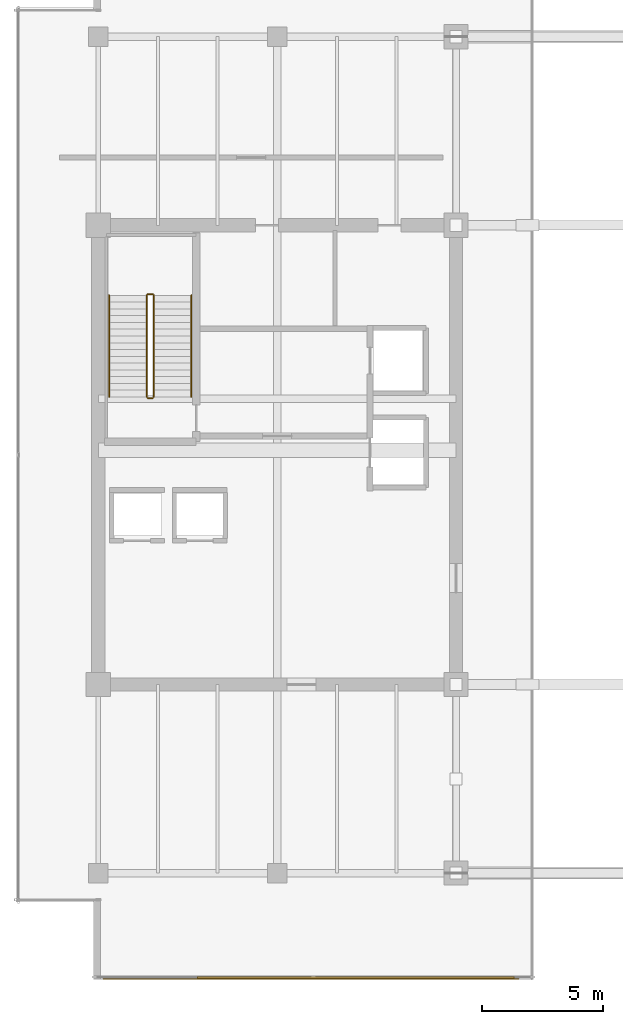
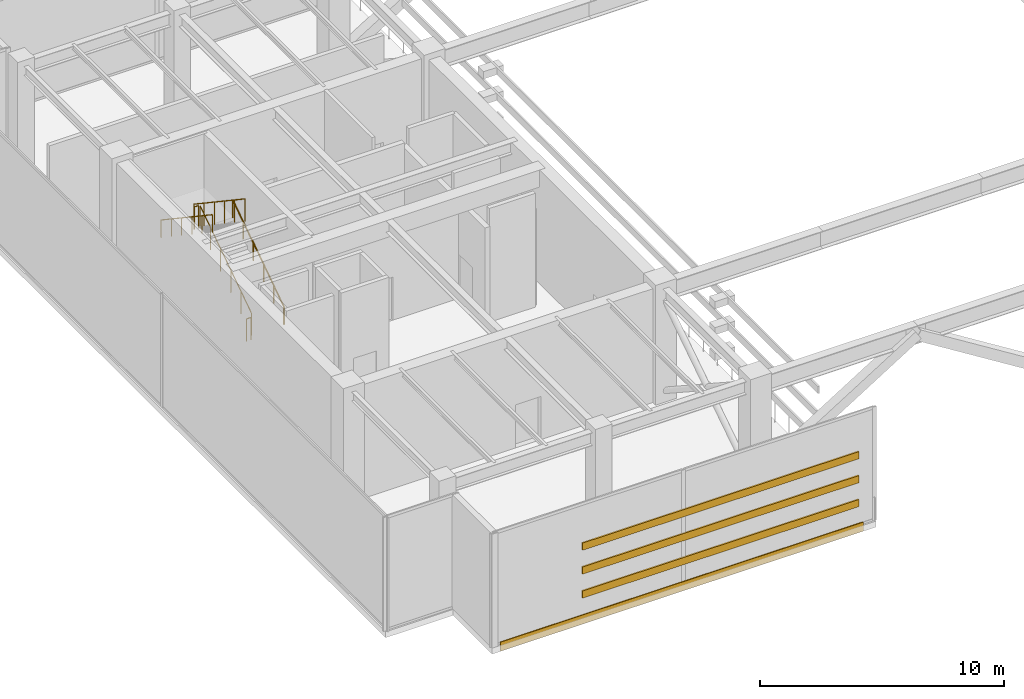
# One storey, part 27 of 30: 6 railings, 3 shading devices, 1 covering.
"""IFC4 building model written with IfcOpenShell, lengths in metres."""

from ifc_helpers import new_model, si_unit, direction, frame, frame_2d, origin, origin_2d, place, context, subcontext, project, spatial, rectangle, circle, extrude, source, transform, mapped, material, layer, layer_set, material_profile, profile_set, type_object, type_shapes, element, save


model = new_model("IFC4")

# Units and contexts
model_context = context("Model", 3, precision=1e-05, world=origin(), true_north=direction((0.0, 1.0)))
body_context = subcontext(model_context, "Body", "Model", "MODEL_VIEW")
ifc_project = project(units=[si_unit("LENGTHUNIT", "METRE"), si_unit("AREAUNIT", "SQUARE_METRE"), si_unit("VOLUMEUNIT", "CUBIC_METRE"), si_unit("PLANEANGLEUNIT", "RADIAN"), si_unit("MASSUNIT", "GRAM", prefix="KILO")], contexts=[model_context])

# Site, building, storey
site_placement = place(None, origin())
site = spatial("IfcSite", under=ifc_project, at=site_placement, CompositionType="ELEMENT")
building_placement = place(site_placement, origin())
building = spatial("IfcBuilding", under=site, at=building_placement, Name="Haelvirn Gate Laboratories", CompositionType="ELEMENT")
storey_placement = place(building_placement, frame((0.0, 0.0, 291.60009765625)))
storey = spatial("IfcBuildingStorey", under=building, at=storey_placement, Name="L70", CompositionType="ELEMENT", Elevation=291.60009765625)

# Covering
ifc_material_1 = material(Name="Anodised bronze honeycomb aluminium spandrel cladding", Category="aluminium")
ifc_layer = layer(ifc_material_1, 0.044921875, Name="COV-CLAD-BRZ")
ifc_layer_set = layer_set([ifc_layer], Name="Anodised bronze honeycomb aluminium spandrel cladding")
covering_type = type_object("IfcCoveringType", Name="COV-CLAD-BRZ", PredefinedType="CLADDING", material=ifc_layer_set)
covering_placement = place(storey_placement, frame((7.60009765625, 2.6298828125, -0.300048828125), z_axis=(0.0, 0.0, 1.0), x_axis=(1.0, 0.0, 0.0)))
element("IfcCovering", 1, at=covering_placement, inside=storey, type_object=covering_type, Name="L70 Bronze Slab-Edge Spandrel Cladding SW", PredefinedType="CLADDING", context=body_context, shape_type="SweptSolid", body=[
    extrude(rectangle(XDim=17.199951171875, YDim=0.044921875, at=frame_2d((8.60009765625, 0.0))), origin(), (0.0, 0.0, 1.0), 0.449951171875),
])

# Shading devices
ifc_material_2 = material(Name="Extruded aluminium 6063-T6 (anodised bronze)", Category="aluminium")
ifc_material_profile = material_profile(ifc_material_2, rectangle(XDim=0.080078125, YDim=0.360107421875, at=origin_2d()), Name="LOUV-360x80")
ifc_profile_set = profile_set([ifc_material_profile], Name="Extruded aluminium 6063-T6 (anodised bronze)")
shading_device_type = type_object("IfcShadingDeviceType", Name="SHD-LOUV-360", PredefinedType="USERDEFINED", material=ifc_profile_set)
shared_shape_1 = source(origin(), body_context, "Body", "SweptSolid", [
    extrude(rectangle(XDim=0.080078125, YDim=0.360107421875, at=origin_2d()), origin(), (0.0, 0.0, 1.0), 13.10009765625),
])
type_shapes(shading_device_type, [shared_shape_1])
for number, where, z_axis, x_axis, name in (
    (2, (11.5, 2.679931640625, 1.14990234375), (1.0, 0.0, 0.0), (0.0, 1.0, 0.0), "L70 South Acoustic Plant Louvre 1"),
    (3, (11.5, 2.679931640625, 2.349853515625), (1.0, 0.0, 0.0), (0.0, 1.0, 0.0), "L70 South Acoustic Plant Louvre 2"),
    (4, (11.5, 2.679931640625, 3.5498046875), (1.0, 0.0, 0.0), (0.0, 1.0, 0.0), "L70 South Acoustic Plant Louvre 3"),
):
    element("IfcShadingDevice", number, at=place(storey_placement, frame(where, z_axis=z_axis, x_axis=x_axis)), inside=storey, type_object=shading_device_type, Name=name, ObjectType="LOUVRE", PredefinedType="USERDEFINED", context=body_context, shape_type="MappedRepresentation", body=[
        mapped(shared_shape_1, transform((0.0, 0.0, 0.0), scale=1.0)),
    ])

# Railings
ifc_material_3 = material(Name="Galvanised steel SM355 & stainless top rail", Category="steel")
railing_type_1 = type_object("IfcRailingType", Name="RL-GUARD-1150", PredefinedType="GUARDRAIL", material=ifc_material_3)
shared_shape_2 = source(origin(), body_context, "Body", "SweptSolid", [
    extrude(circle(Radius=0.02392578125, at=origin_2d()), frame((0.0, 0.0, 1.1259765625), z_axis=(-1.0, 0.0, 0.0), x_axis=(0.0, -1.0, 0.0)), (0.0, 0.0, 1.0), 0.199951171875),
    extrude(circle(Radius=0.02099609375, at=origin_2d()), origin(), (0.0, 0.0, 1.0), 1.101806640625),
    extrude(circle(Radius=0.02099609375, at=origin_2d()), frame((-0.199951171875, 0.0, 0.0)), (0.0, 0.0, 1.0), 1.101806640625),
])
for number, where, name in (
    (5, (9.64990234375, 30.949951171875, 3.0), "L70 ST1 stair guard 2"),
    (6, (9.64990234375, 26.64990234375, 0.0), "L70 ST1 stair guard 4"),
):
    element("IfcRailing", number, at=place(storey_placement, frame(where)), inside=storey, type_object=railing_type_1, Name=name, PredefinedType="GUARDRAIL", context=body_context, shape_type="MappedRepresentation", body=[
        mapped(shared_shape_2, transform((0.0, 0.0, 0.0), scale=1.0)),
    ])
shared_shape_3 = source(origin(), body_context, "Body", "SweptSolid", [
    extrude(circle(Radius=0.02392578125, at=origin_2d()), frame((0.0, 0.0, 1.1259765625), z_axis=(0.0, 0.830904186295, 0.556415522067), x_axis=(-1.0, 0.0, 0.0)), (0.0, 0.0, 1.0), 5.0546875),
    extrude(circle(Radius=0.02099609375, at=origin_2d()), origin(), (0.0, 0.0, 1.0), 1.101806640625),
    extrude(circle(Radius=0.02099609375, at=origin_2d()), frame((0.0, 0.840087890625, 0.5625)), (0.0, 0.0, 1.0), 1.101806640625),
    extrude(circle(Radius=0.02099609375, at=origin_2d()), frame((0.0, 1.679931640625, 1.125)), (0.0, 0.0, 1.0), 1.101806640625),
    extrude(circle(Radius=0.02099609375, at=origin_2d()), frame((0.0, 2.52001953125, 1.6875)), (0.0, 0.0, 1.0), 1.101806640625),
    extrude(circle(Radius=0.02099609375, at=origin_2d()), frame((0.0, 3.35986328125, 2.25)), (0.0, 0.0, 1.0), 1.101806640625),
    extrude(circle(Radius=0.02099609375, at=origin_2d()), frame((0.0, 4.199951171875, 2.8125)), (0.0, 0.0, 1.0), 1.101806640625),
])
railing_1_placement = place(storey_placement, frame((9.699951171875, 26.699951171875, 0.1875)))
element("IfcRailing", 7, at=railing_1_placement, inside=storey, type_object=railing_type_1, Name="L70 ST1 stair guard 1", PredefinedType="GUARDRAIL", context=body_context, shape_type="MappedRepresentation", body=[
    mapped(shared_shape_3, transform((0.0, 0.0, 0.0), scale=1.0)),
])
shared_shape_4 = source(origin(), body_context, "Body", "SweptSolid", [
    extrude(circle(Radius=0.02392578125, at=origin_2d()), frame((0.0, 0.0, 1.1259765625), z_axis=(0.0, -0.830904186295, 0.556415522067), x_axis=(1.0, 0.0, 0.0)), (0.0, 0.0, 1.0), 5.0546875),
    extrude(circle(Radius=0.02099609375, at=origin_2d()), origin(), (0.0, 0.0, 1.0), 1.101806640625),
    extrude(circle(Radius=0.02099609375, at=origin_2d()), frame((0.0, -0.840087890625, 0.5625)), (0.0, 0.0, 1.0), 1.101806640625),
    extrude(circle(Radius=0.02099609375, at=origin_2d()), frame((0.0, -1.679931640625, 1.125)), (0.0, 0.0, 1.0), 1.101806640625),
    extrude(circle(Radius=0.02099609375, at=origin_2d()), frame((0.0, -2.52001953125, 1.6875)), (0.0, 0.0, 1.0), 1.101806640625),
    extrude(circle(Radius=0.02099609375, at=origin_2d()), frame((0.0, -3.35986328125, 2.25)), (0.0, 0.0, 1.0), 1.101806640625),
    extrude(circle(Radius=0.02099609375, at=origin_2d()), frame((0.0, -4.199951171875, 2.8125)), (0.0, 0.0, 1.0), 1.101806640625),
])
type_shapes(railing_type_1, [shared_shape_2, shared_shape_3, shared_shape_4])
railing_2_placement = place(storey_placement, frame((9.39990234375, 30.89990234375, 3.1875)))
element("IfcRailing", 8, at=railing_2_placement, inside=storey, type_object=railing_type_1, Name="L70 ST1 stair guard 3", PredefinedType="GUARDRAIL", context=body_context, shape_type="MappedRepresentation", body=[
    mapped(shared_shape_4, transform((0.0, 0.0, 0.0), scale=1.0)),
])
ifc_material_4 = material(Name="Brushed stainless steel 316L", Category="steel")
railing_type_2 = type_object("IfcRailingType", Name="RL-HAND-920", PredefinedType="HANDRAIL", material=ifc_material_4)
shared_shape_5 = source(origin(), body_context, "Body", "SweptSolid", [
    extrude(circle(Radius=0.02392578125, at=origin_2d()), frame((0.0, 0.0, 0.8759765625), z_axis=(0.0, 0.830904186295, 0.556415522067), x_axis=(-1.0, 0.0, 0.0)), (0.0, 0.0, 1.0), 5.0546875),
    extrude(circle(Radius=0.02099609375, at=origin_2d()), origin(), (0.0, 0.0, 1.0), 0.851806640625),
    extrude(circle(Radius=0.02099609375, at=origin_2d()), frame((0.0, 0.840087890625, 0.5625)), (0.0, 0.0, 1.0), 0.851806640625),
    extrude(circle(Radius=0.02099609375, at=origin_2d()), frame((0.0, 1.679931640625, 1.125)), (0.0, 0.0, 1.0), 0.851806640625),
    extrude(circle(Radius=0.02099609375, at=origin_2d()), frame((0.0, 2.52001953125, 1.6875)), (0.0, 0.0, 1.0), 0.851806640625),
    extrude(circle(Radius=0.02099609375, at=origin_2d()), frame((0.0, 3.35986328125, 2.25)), (0.0, 0.0, 1.0), 0.851806640625),
    extrude(circle(Radius=0.02099609375, at=origin_2d()), frame((0.0, 4.199951171875, 2.8125)), (0.0, 0.0, 1.0), 0.851806640625),
])
railing_3_placement = place(storey_placement, frame((11.25, 26.699951171875, 0.1875)))
element("IfcRailing", 9, at=railing_3_placement, inside=storey, type_object=railing_type_2, Name="L70 ST1 stair handrail 1", PredefinedType="HANDRAIL", context=body_context, shape_type="MappedRepresentation", body=[
    mapped(shared_shape_5, transform((0.0, 0.0, 0.0), scale=1.0)),
])
shared_shape_6 = source(origin(), body_context, "Body", "SweptSolid", [
    extrude(circle(Radius=0.02392578125, at=origin_2d()), frame((0.0, 0.0, 0.8759765625), z_axis=(0.0, -0.830904186295, 0.556415522067), x_axis=(1.0, 0.0, 0.0)), (0.0, 0.0, 1.0), 5.0546875),
    extrude(circle(Radius=0.02099609375, at=origin_2d()), origin(), (0.0, 0.0, 1.0), 0.851806640625),
    extrude(circle(Radius=0.02099609375, at=origin_2d()), frame((0.0, -0.840087890625, 0.5625)), (0.0, 0.0, 1.0), 0.851806640625),
    extrude(circle(Radius=0.02099609375, at=origin_2d()), frame((0.0, -1.679931640625, 1.125)), (0.0, 0.0, 1.0), 0.851806640625),
    extrude(circle(Radius=0.02099609375, at=origin_2d()), frame((0.0, -2.52001953125, 1.6875)), (0.0, 0.0, 1.0), 0.851806640625),
    extrude(circle(Radius=0.02099609375, at=origin_2d()), frame((0.0, -3.35986328125, 2.25)), (0.0, 0.0, 1.0), 0.851806640625),
    extrude(circle(Radius=0.02099609375, at=origin_2d()), frame((0.0, -4.199951171875, 2.8125)), (0.0, 0.0, 1.0), 0.851806640625),
])
type_shapes(railing_type_2, [shared_shape_5, shared_shape_6])
railing_4_placement = place(storey_placement, frame((7.85009765625, 30.89990234375, 3.1875)))
element("IfcRailing", 10, at=railing_4_placement, inside=storey, type_object=railing_type_2, Name="L70 ST1 stair handrail 2", PredefinedType="HANDRAIL", context=body_context, shape_type="MappedRepresentation", body=[
    mapped(shared_shape_6, transform((0.0, 0.0, 0.0), scale=1.0)),
])

save(model, "model.ifc")
